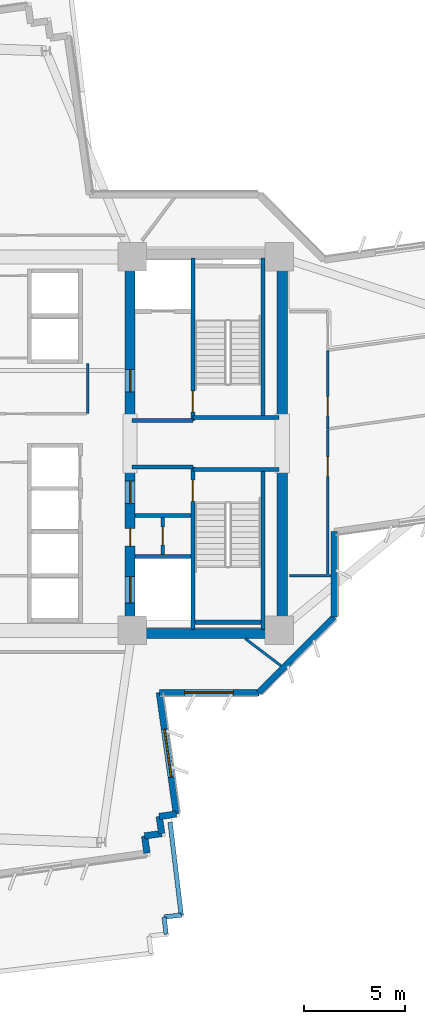
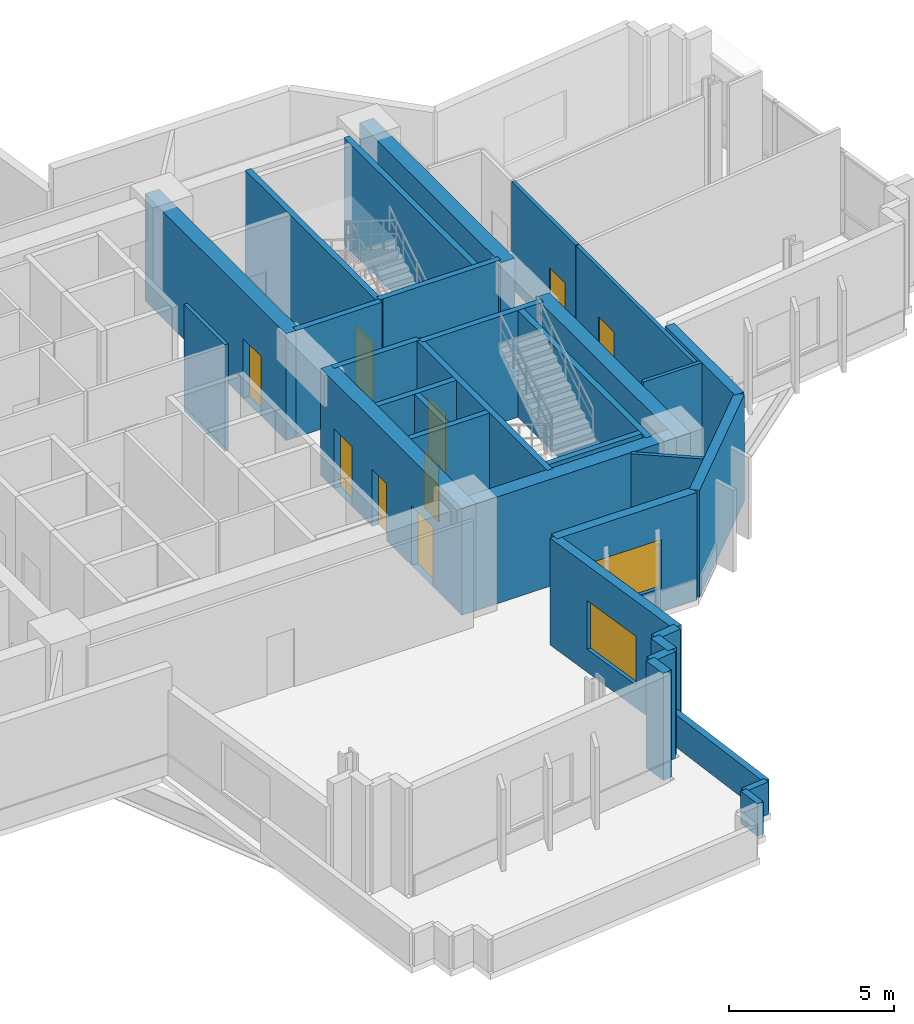
# One storey, part 8 of 13: 33 walls, 9 doors, 2 windows, 11 openings.
"""IFC4 building model written with IfcOpenShell, lengths in metres."""

from ifc_helpers import new_model, si_unit, direction, frame, frame_2d, origin, place, context, subcontext, project, spatial, rectangle, extrude, source, transform, mapped, material, layer, layer_set, type_object, element, fill, save


model = new_model("IFC4")

# Units and contexts
model_context = context("Model", 3, precision=1e-05, world=origin(), true_north=direction((0.0, 1.0)))
body_context = subcontext(model_context, "Body", "Model", "MODEL_VIEW")
ifc_project = project(units=[si_unit("LENGTHUNIT", "METRE"), si_unit("AREAUNIT", "SQUARE_METRE"), si_unit("VOLUMEUNIT", "CUBIC_METRE"), si_unit("PLANEANGLEUNIT", "RADIAN"), si_unit("MASSUNIT", "GRAM", prefix="KILO")], contexts=[model_context])

# Site, building, storey
site_placement = place(None, origin())
site = spatial("IfcSite", under=ifc_project, at=site_placement, CompositionType="ELEMENT")
building_placement = place(site_placement, origin())
building = spatial("IfcBuilding", under=site, at=building_placement, Name="Zahravan Cultural Tower", CompositionType="ELEMENT")
storey_placement = place(building_placement, frame((0.0, 0.0, 117.300048828125)))
storey = spatial("IfcBuildingStorey", under=building, at=storey_placement, Name="L26", CompositionType="ELEMENT", Elevation=117.300048828125)

# Wall, openings, doors
ifc_material_1 = material(Name="Concrete C60/75", Category="concrete")
ifc_layer_1 = layer(ifc_material_1, 0.5)
ifc_layer_set_1 = layer_set([ifc_layer_1], Name="Concrete C60/75")
wall_type_1 = type_object("IfcWallType", Name="CW-SHEAR-500-C60", PredefinedType="SHEAR", material=ifc_layer_set_1)
wall_1_placement = place(storey_placement, frame((43.0, 17.39990234375, 0.0), z_axis=(0.0, 0.0, 1.0), x_axis=(0.0, 1.0, 0.0)))
wall_1 = element("IfcWall", 1, at=wall_1_placement, inside=storey, type_object=wall_type_1, Name="L26 Core Shear Wall CW-E-WS-L26", PredefinedType="SHEAR", context=body_context, shape_type="SweptSolid", body=[
    extrude(rectangle(XDim=8.550048828125, YDim=0.5, at=frame_2d((4.27490234375, 0.0))), origin(), (0.0, 0.0, 1.0), 3.949951171875),
])
opening_1_placement = place(wall_1_placement, frame((6.64990234375, 0.0, 0.0)))
opening_1 = element("IfcOpeningElement", 2, at=opening_1_placement, cuts=wall_1, Name="Opening D-L26-08", PredefinedType="OPENING", context=body_context, shape_type="SweptSolid", body=[
    extrude(rectangle(XDim=1.10009765625, YDim=2.199951171875, at=frame_2d((0.550048828125, 1.10009765625))), frame((0.0, 0.260009765625, 0.0), z_axis=(0.0, -1.0, 0.0), x_axis=(1.0, 0.0, 0.0)), (0.0, 0.0, 1.0), 0.52001953125),
])
opening_2_placement = place(wall_1_placement, frame((1.75, 0.0, 0.0)))
opening_2 = element("IfcOpeningElement", 3, at=opening_2_placement, cuts=wall_1, Name="Opening LD-L26-03", PredefinedType="OPENING", context=body_context, shape_type="SweptSolid", body=[
    extrude(rectangle(XDim=1.300048828125, YDim=2.199951171875, at=frame_2d((0.64990234375, 1.10009765625))), frame((0.0, 0.260009765625, 0.0), z_axis=(0.0, -1.0, 0.0), x_axis=(1.0, 0.0, 0.0)), (0.0, 0.0, 1.0), 0.52001953125),
])
opening_3_placement = place(wall_1_placement, frame((4.550048828125, 0.0, 0.0)))
opening_3 = element("IfcOpeningElement", 4, at=opening_3_placement, cuts=wall_1, Name="Opening D-L26-11", PredefinedType="OPENING", context=body_context, shape_type="SweptSolid", body=[
    extrude(rectangle(XDim=0.8798828125, YDim=2.10009765625, at=frame_2d((0.43994140625, 1.050048828125))), frame((0.0, 0.260009765625, 0.0), z_axis=(0.0, -1.0, 0.0), x_axis=(1.0, 0.0, 0.0)), (0.0, 0.0, 1.0), 0.52001953125),
])
ifc_material_2 = material(Name="Steel ASTM A572 Grade 50", Category="steel")
door_type_1 = type_object("IfcDoorType", Name="DR-LOBBY-1100", OperationType="NOTDEFINED", PredefinedType="DOOR", material=ifc_material_2)
shared_shape_1 = source(origin(), body_context, "Body", "SweptSolid", [
    extrude(rectangle(XDim=1.10009765625, YDim=2.199951171875, at=frame_2d((0.550048828125, 1.10009765625))), frame((0.0, 0.02490234375, 0.0), z_axis=(0.0, -1.0, 0.0), x_axis=(1.0, 0.0, 0.0)), (0.0, 0.0, 1.0), 0.050048828125),
])
door_1_placement = place(opening_1_placement, origin())
door_1 = element("IfcDoor", 5, at=door_1_placement, inside=storey, type_object=door_type_1, Name="L26 Door D-L26-08", OperationType="SINGLE_SWING_LEFT", OverallHeight=2.199951171875, OverallWidth=1.10009765625, PredefinedType="DOOR", context=body_context, shape_type="MappedRepresentation", body=[
    mapped(shared_shape_1, transform((0.0, 0.0, 0.0), x_axis=(1.0, 0.0, 0.0), y_axis=(0.0, 1.0, 0.0), z_axis=(0.0, 0.0, 1.0), scale=1.0)),
])
fill(opening_1, door_1)
door_type_2 = type_object("IfcDoorType", Name="DR-LIFT-1300", OperationType="DOUBLE_DOOR_SLIDING", PredefinedType="DOOR", material=ifc_material_2)
shared_shape_2 = source(origin(), body_context, "Body", "SweptSolid", [
    extrude(rectangle(XDim=1.300048828125, YDim=2.199951171875, at=frame_2d((0.64990234375, 1.10009765625))), frame((0.0, 0.02490234375, 0.0), z_axis=(0.0, -1.0, 0.0), x_axis=(1.0, 0.0, 0.0)), (0.0, 0.0, 1.0), 0.050048828125),
])
door_2_placement = place(opening_2_placement, origin())
door_2 = element("IfcDoor", 6, at=door_2_placement, inside=storey, type_object=door_type_2, Name="L26 Door LD-L26-03", OperationType="DOUBLE_DOOR_SLIDING", OverallHeight=2.199951171875, OverallWidth=1.300048828125, PredefinedType="DOOR", context=body_context, shape_type="MappedRepresentation", body=[
    mapped(shared_shape_2, transform((0.0, 0.0, 0.0), x_axis=(1.0, 0.0, 0.0), y_axis=(0.0, 1.0, 0.0), z_axis=(0.0, 0.0, 1.0), scale=1.0)),
])
fill(opening_2, door_2)
door_type_3 = type_object("IfcDoorType", Name="DR-SVC-880", OperationType="NOTDEFINED", PredefinedType="DOOR", material=ifc_material_2)
shared_shape_3 = source(origin(), body_context, "Body", "SweptSolid", [
    extrude(rectangle(XDim=0.8798828125, YDim=2.10009765625, at=frame_2d((0.43994140625, 1.050048828125))), frame((0.0, 0.02490234375, 0.0), z_axis=(0.0, -1.0, 0.0), x_axis=(1.0, 0.0, 0.0)), (0.0, 0.0, 1.0), 0.050048828125),
])
door_3_placement = place(opening_3_placement, origin())
door_3 = element("IfcDoor", 7, at=door_3_placement, inside=storey, type_object=door_type_3, Name="L26 Door D-L26-11", OperationType="SINGLE_SWING_RIGHT", OverallHeight=2.10009765625, OverallWidth=0.8798828125, PredefinedType="DOOR", context=body_context, shape_type="MappedRepresentation", body=[
    mapped(shared_shape_3, transform((0.0, 0.0, 0.0), x_axis=(1.0, 0.0, 0.0), y_axis=(0.0, 1.0, 0.0), z_axis=(0.0, 0.0, 1.0), scale=1.0)),
])
fill(opening_3, door_3)

# Wall, opening, door
wall_2_placement = place(storey_placement, frame((43.0, 28.050048828125, 0.0), z_axis=(0.0, 0.0, 1.0), x_axis=(0.0, 1.0, 0.0)))
wall_2 = element("IfcWall", 8, at=wall_2_placement, inside=storey, type_object=wall_type_1, Name="L26 Core Shear Wall CW-E-WN-L26", PredefinedType="SHEAR", context=body_context, shape_type="SweptSolid", body=[
    extrude(rectangle(XDim=8.550048828125, YDim=0.5, at=frame_2d((4.27490234375, 0.0))), origin(), (0.0, 0.0, 1.0), 3.949951171875),
])
opening_4_placement = place(wall_2_placement, frame((1.5, 0.0, 0.0)))
opening_4 = element("IfcOpeningElement", 9, at=opening_4_placement, cuts=wall_2, Name="Opening D-L26-06", PredefinedType="OPENING", context=body_context, shape_type="SweptSolid", body=[
    extrude(rectangle(XDim=1.10009765625, YDim=2.199951171875, at=frame_2d((0.550048828125, 1.10009765625))), frame((0.0, 0.260009765625, 0.0), z_axis=(0.0, -1.0, 0.0), x_axis=(1.0, 0.0, 0.0)), (0.0, 0.0, 1.0), 0.52001953125),
])
door_4_placement = place(opening_4_placement, origin())
door_4 = element("IfcDoor", 10, at=door_4_placement, inside=storey, type_object=door_type_1, Name="L26 Door D-L26-06", OperationType="SINGLE_SWING_LEFT", OverallHeight=2.199951171875, OverallWidth=1.10009765625, PredefinedType="DOOR", context=body_context, shape_type="MappedRepresentation", body=[
    mapped(shared_shape_1, transform((0.0, 0.0, 0.0), x_axis=(1.0, 0.0, 0.0), y_axis=(0.0, 1.0, 0.0), z_axis=(0.0, 0.0, 1.0), scale=1.0)),
])
fill(opening_4, door_4)

# Wall, opening, window
ifc_material_3 = material(Name="Precast concrete C40/50", Category="concrete")
ifc_layer_2 = layer(ifc_material_3, 0.320068359375)
ifc_layer_set_2 = layer_set([ifc_layer_2], Name="Precast concrete C40/50")
wall_type_2 = type_object("IfcWallType", Name="EW-TC-320", PredefinedType="SOLIDWALL", material=ifc_layer_set_2)
wall_3_placement = place(storey_placement, frame((49.342041015625, 14.739990234375, 0.0), z_axis=(0.0, 0.0, 1.0), x_axis=(-1.0, 0.0, 0.0)))
wall_3 = element("IfcWall", 11, at=wall_3_placement, inside=storey, type_object=wall_type_2, Name="L26 Exterior Masonry Frame Wall 13", PredefinedType="SOLIDWALL", context=body_context, shape_type="SweptSolid", body=[
    extrude(rectangle(XDim=4.898193359375, YDim=0.320068359375, at=frame_2d((2.44921875, 0.0))), origin(), (0.0, 0.0, 1.0), 3.949951171875),
])
opening_5_placement = place(wall_3_placement, frame((1.2490234375, 0.0, 0.85009765625)))
opening_5 = element("IfcOpeningElement", 12, at=opening_5_placement, cuts=wall_3, Name="Opening WN-01", PredefinedType="OPENING", context=body_context, shape_type="SweptSolid", body=[
    extrude(rectangle(XDim=2.39990234375, YDim=1.800048828125, at=frame_2d((1.199951171875, 0.89990234375))), frame((0.0, 0.169921875, 0.0), z_axis=(0.0, -1.0, 0.0), x_axis=(1.0, 0.0, 0.0)), (0.0, 0.0, 1.0), 0.340087890625),
])
ifc_material_4 = material(Name="Low-E solar-control double glazing", Category="glass")
window_type = type_object("IfcWindowType", Name="WN-REC-2400X1800", PartitioningType="DOUBLE_PANEL_VERTICAL", PredefinedType="WINDOW", material=ifc_material_4)
shared_shape_4 = source(origin(), body_context, "Body", "SweptSolid", [
    extrude(rectangle(XDim=2.39990234375, YDim=1.800048828125, at=frame_2d((1.199951171875, 0.89990234375))), frame((0.0, 0.030029296875, 0.0), z_axis=(0.0, -1.0, 0.0), x_axis=(1.0, 0.0, 0.0)), (0.0, 0.0, 1.0), 0.06005859375),
])
window_1_placement = place(opening_5_placement, origin())
window_1 = element("IfcWindow", 13, at=window_1_placement, inside=storey, type_object=window_type, Name="L26 Recessed Solar Window 03", OverallHeight=1.800048828125, OverallWidth=2.39990234375, PartitioningType="DOUBLE_PANEL_VERTICAL", PredefinedType="WINDOW", context=body_context, shape_type="MappedRepresentation", body=[
    mapped(shared_shape_4, transform((0.0, 0.0, 0.0), x_axis=(1.0, 0.0, 0.0), y_axis=(0.0, 1.0, 0.0), z_axis=(0.0, 0.0, 1.0), scale=1.0)),
])
fill(opening_5, window_1)

wall_4_placement = place(storey_placement, frame((44.44384765625, 14.739990234375, 0.0), z_axis=(0.0, 0.0, 1.0), x_axis=(0.138820507469, -0.990317558517, 0.0)))
wall_4 = element("IfcWall", 14, at=wall_4_placement, inside=storey, type_object=wall_type_2, Name="L26 Exterior Masonry Frame Wall 14", PredefinedType="SOLIDWALL", context=body_context, shape_type="SweptSolid", body=[
    extrude(rectangle(XDim=6.04638671875, YDim=0.320068359375, at=frame_2d((3.023193359375, 0.0))), origin(), (0.0, 0.0, 1.0), 3.949951171875),
])
opening_6_placement = place(wall_4_placement, frame((1.822998046875, 0.0, 0.85009765625)))
opening_6 = element("IfcOpeningElement", 15, at=opening_6_placement, cuts=wall_4, Name="Opening WN-01", PredefinedType="OPENING", context=body_context, shape_type="SweptSolid", body=[
    extrude(rectangle(XDim=2.39990234375, YDim=1.800048828125, at=frame_2d((1.199951171875, 0.89990234375))), frame((0.0, 0.169921875, 0.0), z_axis=(0.0, -1.0, 0.0), x_axis=(1.0, 0.0, 0.0)), (0.0, 0.0, 1.0), 0.340087890625),
])
window_2_placement = place(opening_6_placement, origin())
window_2 = element("IfcWindow", 16, at=window_2_placement, inside=storey, type_object=window_type, Name="L26 Recessed Solar Window 04", OverallHeight=1.800048828125, OverallWidth=2.39990234375, PartitioningType="DOUBLE_PANEL_VERTICAL", PredefinedType="WINDOW", context=body_context, shape_type="MappedRepresentation", body=[
    mapped(shared_shape_4, transform((0.0, 0.0, 0.0), x_axis=(1.0, 0.0, 0.0), y_axis=(0.0, 1.0, 0.0), z_axis=(0.0, 0.0, 1.0), scale=1.0)),
])
fill(opening_6, window_2)

# Wall, opening, door
ifc_material_5 = material(Name="Gypsum plasterboard partition")
ifc_layer_3 = layer(ifc_material_5, 0.179931640625)
ifc_layer_set_3 = layer_set([ifc_layer_3], Name="Gypsum plasterboard partition")
wall_type_3 = type_object("IfcWallType", Name="W-COMP-180", PredefinedType="PARTITIONING", material=ifc_layer_set_3)
wall_5_placement = place(storey_placement, frame((44.6201171875, 21.550048828125, 0.0), z_axis=(0.0, 0.0, 1.0), x_axis=(0.0, 1.0, 0.0)))
wall_5 = element("IfcWall", 17, at=wall_5_placement, inside=storey, type_object=wall_type_3, Name="L26 Interior Wall 027", PredefinedType="PARTITIONING", context=body_context, shape_type="SweptSolid", body=[
    extrude(rectangle(XDim=1.800048828125, YDim=0.179931640625, at=frame_2d((0.89990234375, 0.0))), origin(), (0.0, 0.0, 1.0), 3.949951171875),
])
opening_7_placement = place(wall_5_placement, frame((0.4599609375, 0.0, 0.0)))
opening_7 = element("IfcOpeningElement", 18, at=opening_7_placement, cuts=wall_5, Name="Opening D-L26-12", PredefinedType="OPENING", context=body_context, shape_type="SweptSolid", body=[
    extrude(rectangle(XDim=0.8798828125, YDim=2.10009765625, at=frame_2d((0.43994140625, 1.050048828125))), frame((0.0, 0.099853515625, 0.0), z_axis=(0.0, -1.0, 0.0), x_axis=(1.0, 0.0, 0.0)), (0.0, 0.0, 1.0), 0.199951171875),
])
door_5_placement = place(opening_7_placement, origin())
door_5 = element("IfcDoor", 19, at=door_5_placement, inside=storey, type_object=door_type_3, Name="L26 Door D-L26-12", OperationType="SINGLE_SWING_LEFT", OverallHeight=2.10009765625, OverallWidth=0.8798828125, PredefinedType="DOOR", context=body_context, shape_type="MappedRepresentation", body=[
    mapped(shared_shape_3, transform((0.0, 0.0, 0.0), x_axis=(1.0, 0.0, 0.0), y_axis=(0.0, 1.0, 0.0), z_axis=(0.0, 0.0, 1.0), scale=1.0)),
])
fill(opening_7, door_5)

ifc_layer_4 = layer(ifc_material_5, 0.125)
ifc_layer_set_4 = layer_set([ifc_layer_4], Name="Gypsum plasterboard partition")
wall_type_4 = type_object("IfcWallType", Name="W-PART-125", PredefinedType="PARTITIONING", material=ifc_layer_set_4)
wall_6_placement = place(storey_placement, frame((52.75, 27.722412109375, 0.0), z_axis=(0.0, 0.0, 1.0), x_axis=(0.0, 1.0, 0.0)))
wall_6 = element("IfcWall", 20, at=wall_6_placement, inside=storey, type_object=wall_type_4, Name="L26 Interior Wall 085", PredefinedType="PARTITIONING", context=body_context, shape_type="SweptSolid", body=[
    extrude(rectangle(XDim=3.87744140625, YDim=0.125, at=frame_2d((1.938720703125, 0.0))), origin(), (0.0, 0.0, 1.0), 3.949951171875),
])
opening_8_placement = place(wall_6_placement, frame((0.64404296875, 0.0, 0.0)))
opening_8 = element("IfcOpeningElement", 21, at=opening_8_placement, cuts=wall_6, Name="Opening D-L26-20", PredefinedType="OPENING", context=body_context, shape_type="SweptSolid", body=[
    extrude(rectangle(XDim=0.949951171875, YDim=2.14990234375, at=frame_2d((0.47509765625, 1.074951171875))), frame((0.0, 0.072509765625, 0.0), z_axis=(0.0, -1.0, 0.0), x_axis=(1.0, 0.0, 0.0)), (0.0, 0.0, 1.0), 0.14501953125),
])
ifc_material_6 = material(Name="Anodised bronze-aluminium mullion", Category="aluminium")
door_type_4 = type_object("IfcDoorType", Name="DR-ROOM-950", OperationType="NOTDEFINED", PredefinedType="DOOR", material=ifc_material_6)
shared_shape_5 = source(origin(), body_context, "Body", "SweptSolid", [
    extrude(rectangle(XDim=0.949951171875, YDim=2.14990234375, at=frame_2d((0.47509765625, 1.074951171875))), frame((0.0, 0.02490234375, 0.0), z_axis=(0.0, -1.0, 0.0), x_axis=(1.0, 0.0, 0.0)), (0.0, 0.0, 1.0), 0.050048828125),
])
door_6_placement = place(opening_8_placement, origin())
door_6 = element("IfcDoor", 22, at=door_6_placement, inside=storey, type_object=door_type_4, Name="L26 Door D-L26-20", OperationType="SINGLE_SWING_LEFT", OverallHeight=2.14990234375, OverallWidth=0.949951171875, PredefinedType="DOOR", context=body_context, shape_type="MappedRepresentation", body=[
    mapped(shared_shape_5, transform((0.0, 0.0, 0.0), x_axis=(1.0, 0.0, 0.0), y_axis=(0.0, 1.0, 0.0), z_axis=(0.0, 0.0, 1.0), scale=1.0)),
])
fill(opening_8, door_6)

wall_7_placement = place(storey_placement, frame((52.7451171875, 20.568603515625, 0.0), z_axis=(0.0, 0.0, 1.0), x_axis=(0.000684485962, 0.999999765739, 0.0)))
wall_7 = element("IfcWall", 23, at=wall_7_placement, inside=storey, type_object=wall_type_4, Name="L26 Interior Wall 103", PredefinedType="PARTITIONING", context=body_context, shape_type="SweptSolid", body=[
    extrude(rectangle(XDim=7.133544921875, YDim=0.125, at=frame_2d((3.56689453125, 0.0))), origin(), (0.0, 0.0, 1.0), 3.949951171875),
])
opening_9_placement = place(wall_7_placement, frame((4.822998046875, 0.0, 0.0)))
opening_9 = element("IfcOpeningElement", 24, at=opening_9_placement, cuts=wall_7, Name="Opening D-L26-19", PredefinedType="OPENING", context=body_context, shape_type="SweptSolid", body=[
    extrude(rectangle(XDim=0.949951171875, YDim=2.14990234375, at=frame_2d((0.47509765625, 1.074951171875))), frame((0.0, 0.072509765625, 0.0), z_axis=(0.0, -1.0, 0.0), x_axis=(1.0, 0.0, 0.0)), (0.0, 0.0, 1.0), 0.14501953125),
])
door_7_placement = place(opening_9_placement, origin())
door_7 = element("IfcDoor", 25, at=door_7_placement, inside=storey, type_object=door_type_4, Name="L26 Door D-L26-19", OperationType="SINGLE_SWING_RIGHT", OverallHeight=2.14990234375, OverallWidth=0.949951171875, PredefinedType="DOOR", context=body_context, shape_type="MappedRepresentation", body=[
    mapped(shared_shape_5, transform((0.0, 0.0, 0.0), x_axis=(1.0, 0.0, 0.0), y_axis=(0.0, 1.0, 0.0), z_axis=(0.0, 0.0, 1.0), scale=1.0)),
])
fill(opening_9, door_7)

ifc_material_7 = material(Name="Concrete C45/55", Category="concrete")
ifc_layer_5 = layer(ifc_material_7, 0.199951171875)
ifc_layer_set_5 = layer_set([ifc_layer_5], Name="Concrete C45/55")
wall_type_5 = type_object("IfcWallType", Name="W-SHAFT-200", PredefinedType="SOLIDWALL", material=ifc_layer_set_5)
wall_8_placement = place(storey_placement, frame((46.10009765625, 17.85009765625, 0.0), z_axis=(0.0, 0.0, 1.0), x_axis=(0.0, 1.0, 0.0)))
wall_8 = element("IfcWall", 26, at=wall_8_placement, inside=storey, type_object=wall_type_5, Name="L26 Interior Wall 007", PredefinedType="SOLIDWALL", context=body_context, shape_type="SweptSolid", body=[
    extrude(rectangle(XDim=8.0, YDim=0.199951171875, at=frame_2d((4.0, 0.0))), origin(), (0.0, 0.0, 1.0), 3.949951171875),
])
opening_10_placement = place(wall_8_placement, frame((6.300048828125, 0.0, 0.0)))
opening_10 = element("IfcOpeningElement", 27, at=opening_10_placement, cuts=wall_8, Name="Opening D-L26-03", PredefinedType="OPENING", context=body_context, shape_type="SweptSolid", body=[
    extrude(rectangle(XDim=1.050048828125, YDim=2.14990234375, at=frame_2d((0.52490234375, 1.074951171875))), frame((0.0, 0.10986328125, 0.0), z_axis=(0.0, -1.0, 0.0), x_axis=(1.0, 0.0, 0.0)), (0.0, 0.0, 1.0), 0.219970703125),
])
door_type_5 = type_object("IfcDoorType", Name="DR-STAIR-1050", OperationType="NOTDEFINED", PredefinedType="DOOR", material=ifc_material_2)
shared_shape_6 = source(origin(), body_context, "Body", "SweptSolid", [
    extrude(rectangle(XDim=1.050048828125, YDim=2.14990234375, at=frame_2d((0.52490234375, 1.074951171875))), frame((0.0, 0.02490234375, 0.0), z_axis=(0.0, -1.0, 0.0), x_axis=(1.0, 0.0, 0.0)), (0.0, 0.0, 1.0), 0.050048828125),
])
door_8_placement = place(opening_10_placement, origin())
door_8 = element("IfcDoor", 28, at=door_8_placement, inside=storey, type_object=door_type_5, Name="L26 Door D-L26-03", OperationType="SINGLE_SWING_RIGHT", OverallHeight=2.14990234375, OverallWidth=1.050048828125, PredefinedType="DOOR", context=body_context, shape_type="MappedRepresentation", body=[
    mapped(shared_shape_6, transform((0.0, 0.0, 0.0), x_axis=(1.0, 0.0, 0.0), y_axis=(0.0, 1.0, 0.0), z_axis=(0.0, 0.0, 1.0), scale=1.0)),
])
fill(opening_10, door_8)

wall_9_placement = place(storey_placement, frame((46.10009765625, 28.14990234375, 0.0), z_axis=(0.0, 0.0, 1.0), x_axis=(0.0, 1.0, 0.0)))
wall_9 = element("IfcWall", 29, at=wall_9_placement, inside=storey, type_object=wall_type_5, Name="L26 Interior Wall 008", PredefinedType="SOLIDWALL", context=body_context, shape_type="SweptSolid", body=[
    extrude(rectangle(XDim=8.0, YDim=0.199951171875, at=frame_2d((4.0, 0.0))), origin(), (0.0, 0.0, 1.0), 3.949951171875),
])
opening_11_placement = place(wall_9_placement, frame((0.39990234375, 0.0, 0.0)))
opening_11 = element("IfcOpeningElement", 30, at=opening_11_placement, cuts=wall_9, Name="Opening D-L26-02", PredefinedType="OPENING", context=body_context, shape_type="SweptSolid", body=[
    extrude(rectangle(XDim=1.050048828125, YDim=2.14990234375, at=frame_2d((0.52490234375, 1.074951171875))), frame((0.0, 0.10986328125, 0.0), z_axis=(0.0, -1.0, 0.0), x_axis=(1.0, 0.0, 0.0)), (0.0, 0.0, 1.0), 0.219970703125),
])
door_9_placement = place(opening_11_placement, origin())
door_9 = element("IfcDoor", 31, at=door_9_placement, inside=storey, type_object=door_type_5, Name="L26 Door D-L26-02", OperationType="SINGLE_SWING_LEFT", OverallHeight=2.14990234375, OverallWidth=1.050048828125, PredefinedType="DOOR", context=body_context, shape_type="MappedRepresentation", body=[
    mapped(shared_shape_6, transform((0.0, 0.0, 0.0), x_axis=(1.0, 0.0, 0.0), y_axis=(0.0, 1.0, 0.0), z_axis=(0.0, 0.0, 1.0), scale=1.0)),
])
fill(opening_11, door_9)

# Walls
shared_shape_7 = source(origin(), body_context, "Body", "SweptSolid", [
    extrude(rectangle(XDim=8.550048828125, YDim=0.5, at=frame_2d((4.27490234375, 0.0))), origin(), (0.0, 0.0, 1.0), 3.949951171875),
])
for number, where, z_axis, x_axis, name in (
    (32, (50.5, 17.39990234375, 0.0), (0.0, 0.0, 1.0), (0.0, 1.0, 0.0), "L26 Core Shear Wall CW-E-ES-L26"),
    (33, (50.5, 28.050048828125, 0.0), (0.0, 0.0, 1.0), (0.0, 1.0, 0.0), "L26 Core Shear Wall CW-E-EN-L26"),
):
    element("IfcWall", number, at=place(storey_placement, frame(where, z_axis=z_axis, x_axis=x_axis)), inside=storey, type_object=wall_type_1, Name=name, PredefinedType="SHEAR", context=body_context, shape_type="MappedRepresentation", body=[
        mapped(shared_shape_7, transform((0.0, 0.0, 0.0), x_axis=(1.0, 0.0, 0.0), y_axis=(0.0, 1.0, 0.0), z_axis=(0.0, 0.0, 1.0), scale=1.0)),
    ])
shared_shape_8 = source(origin(), body_context, "Body", "SweptSolid", [
    extrude(rectangle(XDim=7.0, YDim=0.5, at=frame_2d((3.5, 0.0))), origin(), (0.0, 0.0, 1.0), 3.949951171875),
])
wall_10_placement = place(storey_placement, frame((43.25, 17.64990234375, 0.0), z_axis=(0.0, 0.0, 1.0), x_axis=(1.0, 0.0, 0.0)))
element("IfcWall", 34, at=wall_10_placement, inside=storey, type_object=wall_type_1, Name="L26 Core Shear Wall CW-E-S-L26", PredefinedType="SHEAR", context=body_context, shape_type="MappedRepresentation", body=[
    mapped(shared_shape_8, transform((0.0, 0.0, 0.0), x_axis=(1.0, 0.0, 0.0), y_axis=(0.0, 1.0, 0.0), z_axis=(0.0, 0.0, 1.0), scale=1.0)),
])
shared_shape_9 = source(origin(), body_context, "Body", "SweptSolid", [
    extrude(rectangle(XDim=0.849853515625, YDim=0.320068359375, at=frame_2d((0.4248046875, 0.0))), origin(), (0.0, 0.0, 1.0), 3.949951171875),
])
wall_11_placement = place(storey_placement, frame((44.559326171875, 7.792236328125, 0.0), z_axis=(0.0, 0.0, 1.0), x_axis=(-0.990325171071, -0.138766190202, 0.0)))
element("IfcWall", 35, at=wall_11_placement, inside=storey, type_object=wall_type_2, Name="L26 Exterior Masonry Frame Wall 17", PredefinedType="SOLIDWALL", context=body_context, shape_type="MappedRepresentation", body=[
    mapped(shared_shape_9, transform((0.0, 0.0, 0.0), x_axis=(1.0, 0.0, 0.0), y_axis=(0.0, 1.0, 0.0), z_axis=(0.0, 0.0, 1.0), scale=1.0)),
])
shared_shape_10 = source(origin(), body_context, "Body", "SweptSolid", [
    extrude(rectangle(XDim=0.85009765625, YDim=0.320068359375, at=frame_2d((0.425048828125, 0.0))), origin(), (0.0, 0.0, 1.0), 3.949951171875),
])
for number, where, z_axis, x_axis, name in (
    (36, (45.283203125, 8.752197265625, 0.0), (0.0, 0.0, 1.0), (-0.990291202841, -0.139008393902, 0.0), "L26 Exterior Masonry Frame Wall 15"),
    (37, (44.44140625, 8.634033203125, 0.0), (0.0, 0.0, 1.0), (0.138726719425, -0.990330700987, 0.0), "L26 Exterior Masonry Frame Wall 16"),
    (38, (43.7177734375, 7.67431640625, 0.0), (0.0, 0.0, 1.0), (0.138726719425, -0.990330700987, 0.0), "L26 Exterior Masonry Frame Wall 18"),
):
    element("IfcWall", number, at=place(storey_placement, frame(where, z_axis=z_axis, x_axis=x_axis)), inside=storey, type_object=wall_type_2, Name=name, PredefinedType="SOLIDWALL", context=body_context, shape_type="MappedRepresentation", body=[
        mapped(shared_shape_10, transform((0.0, 0.0, 0.0), x_axis=(1.0, 0.0, 0.0), y_axis=(0.0, 1.0, 0.0), z_axis=(0.0, 0.0, 1.0), scale=1.0)),
    ])
shared_shape_11 = source(origin(), body_context, "Body", "SweptSolid", [
    extrude(rectangle(XDim=5.258056640625, YDim=0.320068359375, at=frame_2d((2.62890625, 0.0))), origin(), (0.0, 0.0, 1.0), 3.949951171875),
])
wall_12_placement = place(storey_placement, frame((53.06005859375, 18.4580078125, 0.0), z_axis=(0.0, 0.0, 1.0), x_axis=(-0.707106781187, -0.707106781187, 0.0)))
element("IfcWall", 39, at=wall_12_placement, inside=storey, type_object=wall_type_2, Name="L26 Exterior Masonry Frame Wall 12", PredefinedType="SOLIDWALL", context=body_context, shape_type="MappedRepresentation", body=[
    mapped(shared_shape_11, transform((0.0, 0.0, 0.0), x_axis=(1.0, 0.0, 0.0), y_axis=(0.0, 1.0, 0.0), z_axis=(0.0, 0.0, 1.0), scale=1.0)),
])
ifc_layer_6 = layer(ifc_material_3, 0.219970703125)
ifc_layer_set_6 = layer_set([ifc_layer_6], Name="Precast concrete C40/50")
wall_type_6 = type_object("IfcWallType", Name="EW-PARAPET-220", PredefinedType="PARAPET", material=ifc_layer_set_6)
shared_shape_12 = source(origin(), body_context, "Body", "SweptSolid", [
    extrude(rectangle(XDim=4.599365234375, YDim=0.219970703125, at=frame_2d((2.2998046875, 0.0))), origin(), (0.0, 0.0, 1.0), 1.199951171875),
])
wall_13_placement = place(storey_placement, frame((44.9755859375, 8.345458984375, 0.0), z_axis=(0.0, 0.0, 1.0), x_axis=(0.119113824052, -0.992880605571, 0.0)))
element("IfcWall", 40, at=wall_13_placement, inside=storey, type_object=wall_type_6, Name="L26 Setback Roof Parapet 1", PredefinedType="PARAPET", context=body_context, shape_type="MappedRepresentation", body=[
    mapped(shared_shape_12, transform((0.0, 0.0, 0.0), x_axis=(1.0, 0.0, 0.0), y_axis=(0.0, 1.0, 0.0), z_axis=(0.0, 0.0, 1.0), scale=1.0)),
])
shared_shape_13 = source(origin(), body_context, "Body", "SweptSolid", [
    extrude(rectangle(XDim=0.85009765625, YDim=0.219970703125, at=frame_2d((0.425048828125, 0.0))), origin(), (0.0, 0.0, 1.0), 1.199951171875),
])
for number, where, z_axis, x_axis, name in (
    (41, (45.5234375, 3.77880859375, 0.0), (0.0, 0.0, 1.0), (-0.992905350382, -0.118907380694, 0.0), "L26 Setback Roof Parapet 2"),
    (42, (44.679443359375, 3.677734375, 0.0), (0.0, 0.0, 1.0), (0.118907380694, -0.992905350382, 0.0), "L26 Setback Roof Parapet 3"),
):
    element("IfcWall", number, at=place(storey_placement, frame(where, z_axis=z_axis, x_axis=x_axis)), inside=storey, type_object=wall_type_6, Name=name, PredefinedType="PARAPET", context=body_context, shape_type="MappedRepresentation", body=[
        mapped(shared_shape_13, transform((0.0, 0.0, 0.0), x_axis=(1.0, 0.0, 0.0), y_axis=(0.0, 1.0, 0.0), z_axis=(0.0, 0.0, 1.0), scale=1.0)),
    ])
shared_shape_14 = source(origin(), body_context, "Body", "SweptSolid", [
    extrude(rectangle(XDim=4.20849609375, YDim=0.320068359375, at=frame_2d((2.104248046875, 0.0))), origin(), (0.0, 0.0, 1.0), 3.949951171875),
])
wall_14_placement = place(storey_placement, frame((53.06005859375, 22.66650390625, 0.0), z_axis=(0.0, 0.0, 1.0), x_axis=(0.0, -1.0, 0.0)))
element("IfcWall", 43, at=wall_14_placement, inside=storey, type_object=wall_type_2, Name="L26 Exterior Masonry Frame Wall 11", PredefinedType="SOLIDWALL", context=body_context, shape_type="MappedRepresentation", body=[
    mapped(shared_shape_14, transform((0.0, 0.0, 0.0), x_axis=(1.0, 0.0, 0.0), y_axis=(0.0, 1.0, 0.0), z_axis=(0.0, 0.0, 1.0), scale=1.0)),
])
shared_shape_15 = source(origin(), body_context, "Body", "SweptSolid", [
    extrude(rectangle(XDim=7.869873046875, YDim=0.199951171875, at=frame_2d((3.93505859375, 0.0))), origin(), (0.0, 0.0, 1.0), 3.949951171875),
])
for number, where, z_axis, x_axis, name in (
    (44, (49.550048828125, 17.85009765625, 0.0), (0.0, 0.0, 1.0), (0.0, 1.0, 0.0), "L26 Interior Wall 003"),
    (45, (49.550048828125, 28.280029296875, 0.0), (0.0, 0.0, 1.0), (0.0, 1.0, 0.0), "L26 Interior Wall 004"),
):
    element("IfcWall", number, at=place(storey_placement, frame(where, z_axis=z_axis, x_axis=x_axis)), inside=storey, type_object=wall_type_5, Name=name, PredefinedType="SOLIDWALL", context=body_context, shape_type="MappedRepresentation", body=[
        mapped(shared_shape_15, transform((0.0, 0.0, 0.0), x_axis=(1.0, 0.0, 0.0), y_axis=(0.0, 1.0, 0.0), z_axis=(0.0, 0.0, 1.0), scale=1.0)),
    ])
shared_shape_16 = source(origin(), body_context, "Body", "SweptSolid", [
    extrude(rectangle(XDim=4.25, YDim=0.199951171875, at=frame_2d((2.125, 0.0))), origin(), (0.0, 0.0, 1.0), 3.949951171875),
])
for number, where, z_axis, x_axis, name in (
    (46, (46.10009765625, 25.715087890625, 0.0), (0.0, 0.0, 1.0), (1.0, 0.0, 0.0), "L26 Interior Wall 014"),
    (47, (46.10009765625, 28.284912109375, 0.0), (0.0, 0.0, 1.0), (1.0, 0.0, 0.0), "L26 Interior Wall 016"),
):
    element("IfcWall", number, at=place(storey_placement, frame(where, z_axis=z_axis, x_axis=x_axis)), inside=storey, type_object=wall_type_5, Name=name, PredefinedType="SOLIDWALL", context=body_context, shape_type="MappedRepresentation", body=[
        mapped(shared_shape_16, transform((0.0, 0.0, 0.0), x_axis=(1.0, 0.0, 0.0), y_axis=(0.0, 1.0, 0.0), z_axis=(0.0, 0.0, 1.0), scale=1.0)),
    ])
shared_shape_17 = source(origin(), body_context, "Body", "SweptSolid", [
    extrude(rectangle(XDim=3.0, YDim=0.199951171875, at=frame_2d((1.5, 0.0))), origin(), (0.0, 0.0, 1.0), 3.949951171875),
])
for number, where, z_axis, x_axis, name in (
    (48, (43.10009765625, 25.85009765625, 0.0), (0.0, 0.0, 1.0), (1.0, 0.0, 0.0), "L26 Interior Wall 013"),
    (49, (43.10009765625, 28.14990234375, 0.0), (0.0, 0.0, 1.0), (1.0, 0.0, 0.0), "L26 Interior Wall 015"),
):
    element("IfcWall", number, at=place(storey_placement, frame(where, z_axis=z_axis, x_axis=x_axis)), inside=storey, type_object=wall_type_5, Name=name, PredefinedType="SOLIDWALL", context=body_context, shape_type="MappedRepresentation", body=[
        mapped(shared_shape_17, transform((0.0, 0.0, 0.0), x_axis=(1.0, 0.0, 0.0), y_axis=(0.0, 1.0, 0.0), z_axis=(0.0, 0.0, 1.0), scale=1.0)),
    ])
shared_shape_18 = source(origin(), body_context, "Body", "SweptSolid", [
    extrude(rectangle(XDim=3.25, YDim=0.199951171875, at=frame_2d((1.625, 0.0))), origin(), (0.0, 0.0, 1.0), 3.949951171875),
])
wall_15_placement = place(storey_placement, frame((46.199951171875, 18.199951171875, 0.0), z_axis=(0.0, 0.0, 1.0), x_axis=(1.0, 0.0, 0.0)))
element("IfcWall", 50, at=wall_15_placement, inside=storey, type_object=wall_type_5, Name="L26 Interior Wall 020", PredefinedType="SOLIDWALL", context=body_context, shape_type="MappedRepresentation", body=[
    mapped(shared_shape_18, transform((0.0, 0.0, 0.0), x_axis=(1.0, 0.0, 0.0), y_axis=(0.0, 1.0, 0.0), z_axis=(0.0, 0.0, 1.0), scale=1.0)),
])
shared_shape_19 = source(origin(), body_context, "Body", "SweptSolid", [
    extrude(rectangle(XDim=2.75, YDim=0.199951171875, at=frame_2d((1.375, 0.0))), origin(), (0.0, 0.0, 1.0), 3.949951171875),
])
for number, where, z_axis, x_axis, name in (
    (51, (43.25, 23.449951171875, 0.0), (0.0, 0.0, 1.0), (1.0, 0.0, 0.0), "L26 Interior Wall 024"),
    (52, (43.25, 21.449951171875, 0.0), (0.0, 0.0, 1.0), (1.0, 0.0, 0.0), "L26 Interior Wall 025"),
):
    element("IfcWall", number, at=place(storey_placement, frame(where, z_axis=z_axis, x_axis=x_axis)), inside=storey, type_object=wall_type_5, Name=name, PredefinedType="SOLIDWALL", context=body_context, shape_type="MappedRepresentation", body=[
        mapped(shared_shape_19, transform((0.0, 0.0, 0.0), x_axis=(1.0, 0.0, 0.0), y_axis=(0.0, 1.0, 0.0), z_axis=(0.0, 0.0, 1.0), scale=1.0)),
    ])
shared_shape_20 = source(origin(), body_context, "Body", "SweptSolid", [
    extrude(rectangle(XDim=2.469970703125, YDim=0.125, at=frame_2d((1.23486328125, 0.0))), origin(), (0.0, 0.0, 1.0), 3.949951171875),
])
wall_16_placement = place(storey_placement, frame((40.919921875, 30.949951171875, 0.0), z_axis=(0.0, 0.0, 1.0), x_axis=(0.0, -1.0, 0.0)))
element("IfcWall", 53, at=wall_16_placement, inside=storey, type_object=wall_type_4, Name="L26 Interior Wall 083", PredefinedType="PARTITIONING", context=body_context, shape_type="MappedRepresentation", body=[
    mapped(shared_shape_20, transform((0.0, 0.0, 0.0), x_axis=(1.0, 0.0, 0.0), y_axis=(0.0, 1.0, 0.0), z_axis=(0.0, 0.0, 1.0), scale=1.0)),
])
shared_shape_21 = source(origin(), body_context, "Body", "SweptSolid", [
    extrude(rectangle(XDim=2.04736328125, YDim=0.125, at=frame_2d((1.023681640625, 0.0))), origin(), (0.0, 0.0, 1.0), 3.949951171875),
])
wall_17_placement = place(storey_placement, frame((50.8525390625, 20.50244140625, 0.0), z_axis=(0.0, 0.0, 1.0), x_axis=(0.999999822254, -0.000596231709, 0.0)))
element("IfcWall", 54, at=wall_17_placement, inside=storey, type_object=wall_type_4, Name="L26 Interior Wall 102", PredefinedType="PARTITIONING", context=body_context, shape_type="MappedRepresentation", body=[
    mapped(shared_shape_21, transform((0.0, 0.0, 0.0), x_axis=(1.0, 0.0, 0.0), y_axis=(0.0, 1.0, 0.0), z_axis=(0.0, 0.0, 1.0), scale=1.0)),
])
shared_shape_22 = source(origin(), body_context, "Body", "SweptSolid", [
    extrude(rectangle(XDim=2.202880859375, YDim=0.125, at=frame_2d((1.1015625, 0.0))), origin(), (0.0, 0.0, 1.0), 3.949951171875),
])
wall_18_placement = place(storey_placement, frame((50.42919921875, 16.060546875, 0.0), z_axis=(0.0, 0.0, 1.0), x_axis=(-0.795630117323, 0.605782730365, 0.0)))
element("IfcWall", 55, at=wall_18_placement, inside=storey, type_object=wall_type_4, Name="L26 Interior Wall 104", PredefinedType="PARTITIONING", context=body_context, shape_type="MappedRepresentation", body=[
    mapped(shared_shape_22, transform((0.0, 0.0, 0.0), x_axis=(1.0, 0.0, 0.0), y_axis=(0.0, 1.0, 0.0), z_axis=(0.0, 0.0, 1.0), scale=1.0)),
])

save(model, "model.ifc")
